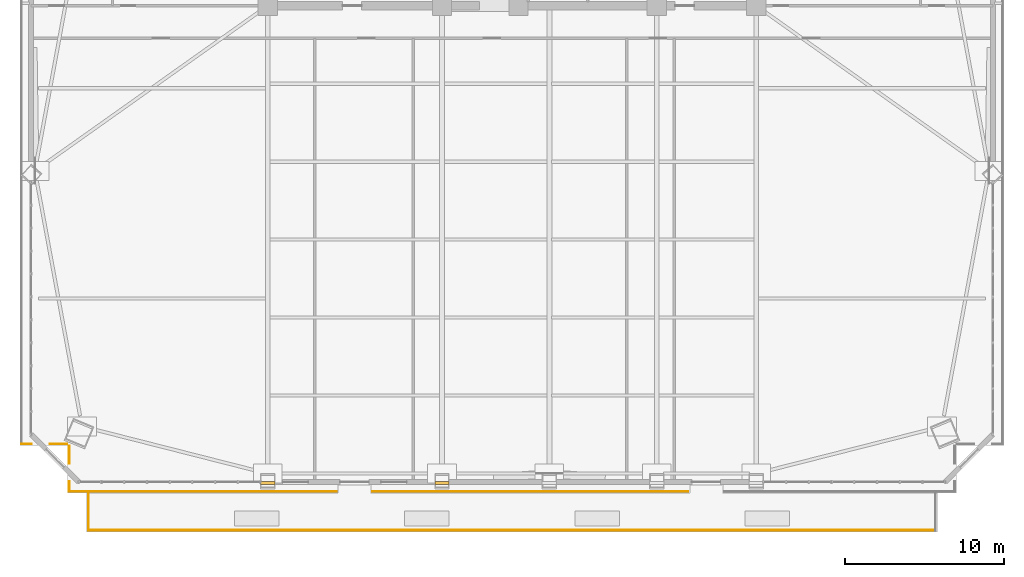
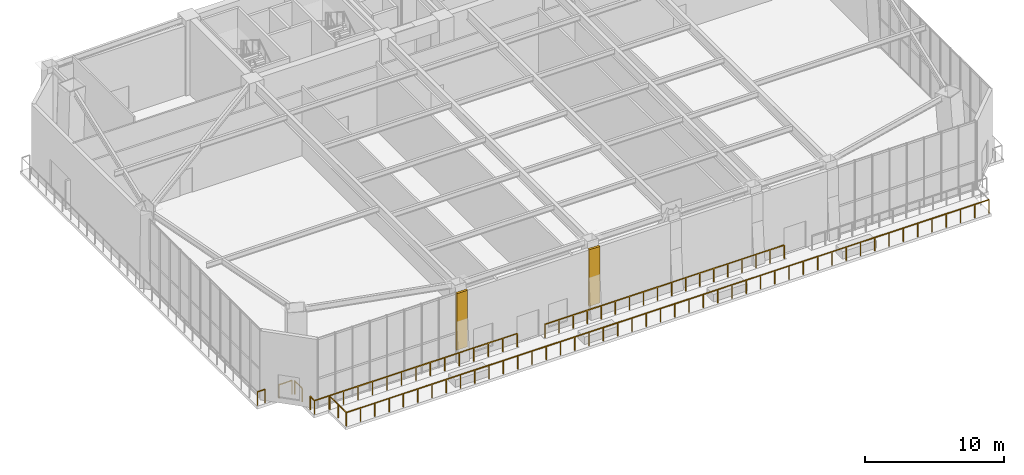
# One storey, part 18 of 22: 8 railings, 2 coverings.
"""IFC4 building model written with IfcOpenShell, lengths in metres."""

from ifc_helpers import new_model, si_unit, direction, frame, origin, origin_2d, place, context, subcontext, project, spatial, polyline, rectangle, outline, extrude, material, layer, layer_set, type_object, element, save


model = new_model("IFC4")

# Units and contexts
model_context = context("Model", 3, precision=1e-05, world=origin(), true_north=direction((0.0, 1.0)))
body_context = subcontext(model_context, "Body", "Model", "MODEL_VIEW")
ifc_project = project(units=[si_unit("LENGTHUNIT", "METRE"), si_unit("AREAUNIT", "SQUARE_METRE"), si_unit("VOLUMEUNIT", "CUBIC_METRE"), si_unit("PLANEANGLEUNIT", "RADIAN"), si_unit("MASSUNIT", "GRAM", prefix="KILO")], contexts=[model_context])

# Site, building, storey
site_placement = place(None, origin())
site = spatial("IfcSite", under=ifc_project, at=site_placement, CompositionType="ELEMENT")
building_placement = place(site_placement, origin())
building = spatial("IfcBuilding", under=site, at=building_placement, Name="Giltprow Tower", CompositionType="ELEMENT")
storey_placement = place(building_placement, frame((0.0, 0.0, 130.89990234375)))
storey = spatial("IfcBuildingStorey", under=building, at=storey_placement, Name="L32", CompositionType="ELEMENT", Elevation=130.89990234375)

# Coverings
ifc_material = material(Name="Anodized bronze", Category="metal")
ifc_layer = layer(ifc_material, 0.0400390625, Name="Anodized bronze")
ifc_layer_set = layer_set([ifc_layer], Name="Anodized bronze")
covering_type = type_object("IfcCoveringType", Name="COV-SOFFIT-BRONZE", PredefinedType="CLADDING", material=ifc_layer_set)
covering_1_placement = place(storey_placement, frame((0.0, 0.0, 1.10009765625)))
element("IfcCovering", 1, at=covering_1_placement, inside=storey, type_object=covering_type, Name="L32 Setback Pier Closure Cladding S-1", PredefinedType="CLADDING", context=body_context, shape_type="SweptSolid", body=[
    extrude(outline(polyline([(19.39990234375, 7.35791015625), (20.300048828125, 7.35791015625), (20.300048828125, 7.5380859375), (19.39990234375, 7.5380859375), (19.39990234375, 7.35791015625)])), origin(), (0.0, 0.0, 1.0), 4.949951171875),
])
covering_2_placement = place(storey_placement, frame((0.0, 0.0, 1.10009765625)))
element("IfcCovering", 2, at=covering_2_placement, inside=storey, type_object=covering_type, Name="L32 Setback Pier Closure Cladding S-2", PredefinedType="CLADDING", context=body_context, shape_type="SweptSolid", body=[
    extrude(outline(polyline([(30.35009765625, 7.35791015625), (31.25, 7.35791015625), (31.25, 7.5380859375), (30.35009765625, 7.5380859375), (30.35009765625, 7.35791015625)])), origin(), (0.0, 0.0, 1.0), 4.949951171875),
])

# Railings
railing_type_1 = type_object("IfcRailingType", Name="RAIL-BALC-GUARD-1200", PredefinedType="BALUSTRADE", material=ifc_material)
railing_1_placement = place(storey_placement, frame((7.3701171875, 6.91796875, 0.0)))
element("IfcRailing", 3, at=railing_1_placement, inside=storey, type_object=railing_type_1, Name="L32 Corner Apron Edge Balustrade 1", PredefinedType="BALUSTRADE", context=body_context, shape_type="SweptSolid", body=[
    extrude(rectangle(XDim=0.048095703125, YDim=0.048095703125, at=origin_2d()), frame((0.0, 0.0, 1.17578125), z_axis=(0.0, 1.0, 0.0), x_axis=(-1.0, 0.0, 0.0)), (0.0, 0.0, 1.0), 0.6201171875),
    extrude(rectangle(XDim=0.0419921875, YDim=0.0419921875, at=origin_2d()), origin(), (0.0, 0.0, 1.0), 1.15185546875),
    extrude(rectangle(XDim=0.0419921875, YDim=0.0419921875, at=origin_2d()), frame((0.0, 0.6201171875, 0.0)), (0.0, 0.0, 1.0), 1.15185546875),
])
railing_2_placement = place(storey_placement, frame((7.3701171875, 8.697998046875, 0.0)))
element("IfcRailing", 4, at=railing_2_placement, inside=storey, type_object=railing_type_1, Name="L32 Corner Apron Edge Balustrade 2", PredefinedType="BALUSTRADE", context=body_context, shape_type="SweptSolid", body=[
    extrude(rectangle(XDim=0.048095703125, YDim=0.048095703125, at=origin_2d()), frame((0.0, 0.0, 1.17578125), z_axis=(0.0, 1.0, 0.0), x_axis=(-1.0, 0.0, 0.0)), (0.0, 0.0, 1.0), 1.075927734375),
    extrude(rectangle(XDim=0.0419921875, YDim=0.0419921875, at=origin_2d()), origin(), (0.0, 0.0, 1.0), 1.15185546875),
    extrude(rectangle(XDim=0.0419921875, YDim=0.0419921875, at=origin_2d()), frame((0.0, 1.075927734375, 0.0)), (0.0, 0.0, 1.0), 1.15185546875),
])
railing_3_placement = place(storey_placement, frame((7.235107421875, 9.908935546875, 0.0)))
element("IfcRailing", 5, at=railing_3_placement, inside=storey, type_object=railing_type_1, Name="L32 Corner Apron Edge Balustrade 3", PredefinedType="BALUSTRADE", context=body_context, shape_type="SweptSolid", body=[
    extrude(rectangle(XDim=0.048095703125, YDim=0.048095703125, at=origin_2d()), frame((0.0, 0.0, 1.17578125), z_axis=(-1.0, 0.0, 0.0), x_axis=(0.0, -1.0, 0.0)), (0.0, 0.0, 1.0), 1.076171875),
    extrude(rectangle(XDim=0.0419921875, YDim=0.0419921875, at=origin_2d()), origin(), (0.0, 0.0, 1.0), 1.15185546875),
    extrude(rectangle(XDim=0.0419921875, YDim=0.0419921875, at=origin_2d()), frame((-1.076171875, 0.0, 0.0)), (0.0, 0.0, 1.0), 1.15185546875),
])
railing_4_placement = place(storey_placement, frame((4.9990234375, 9.908935546875, 0.0)))
element("IfcRailing", 6, at=railing_4_placement, inside=storey, type_object=railing_type_1, Name="L32 Corner Apron Edge Balustrade 4", PredefinedType="BALUSTRADE", context=body_context, shape_type="SweptSolid", body=[
    extrude(rectangle(XDim=0.048095703125, YDim=0.048095703125, at=origin_2d()), frame((0.0, 0.0, 1.17578125), z_axis=(-1.0, 0.0, 0.0), x_axis=(0.0, -1.0, 0.0)), (0.0, 0.0, 1.0), 0.6201171875),
    extrude(rectangle(XDim=0.0419921875, YDim=0.0419921875, at=origin_2d()), origin(), (0.0, 0.0, 1.0), 1.15185546875),
    extrude(rectangle(XDim=0.0419921875, YDim=0.0419921875, at=origin_2d()), frame((-0.6201171875, 0.0, 0.0)), (0.0, 0.0, 1.0), 1.15185546875),
])
railing_5_placement = place(storey_placement, frame((46.25, 6.91796875, 0.0)))
element("IfcRailing", 7, at=railing_5_placement, inside=storey, type_object=railing_type_1, Name="L32 Corner Apron Edge Balustrade 22", PredefinedType="BALUSTRADE", context=body_context, shape_type="SweptSolid", body=[
    extrude(rectangle(XDim=0.048095703125, YDim=0.048095703125, at=origin_2d()), frame((0.0, 0.0, 1.17578125), z_axis=(-1.0, 0.0, 0.0), x_axis=(0.0, -1.0, 0.0)), (0.0, 0.0, 1.0), 19.800048828125),
    extrude(rectangle(XDim=0.0419921875, YDim=0.0419921875, at=origin_2d()), origin(), (0.0, 0.0, 1.0), 1.15185546875),
    extrude(rectangle(XDim=0.0419921875, YDim=0.0419921875, at=origin_2d()), frame((-1.164794921875, 0.0, 0.0)), (0.0, 0.0, 1.0), 1.15185546875),
    extrude(rectangle(XDim=0.0419921875, YDim=0.0419921875, at=origin_2d()), frame((-2.329345703125, 0.0, 0.0)), (0.0, 0.0, 1.0), 1.15185546875),
    extrude(rectangle(XDim=0.0419921875, YDim=0.0419921875, at=origin_2d()), frame((-3.494140625, 0.0, 0.0)), (0.0, 0.0, 1.0), 1.15185546875),
    extrude(rectangle(XDim=0.0419921875, YDim=0.0419921875, at=origin_2d()), frame((-4.658935546875, 0.0, 0.0)), (0.0, 0.0, 1.0), 1.15185546875),
    extrude(rectangle(XDim=0.0419921875, YDim=0.0419921875, at=origin_2d()), frame((-5.823486328125, 0.0, 0.0)), (0.0, 0.0, 1.0), 1.15185546875),
    extrude(rectangle(XDim=0.0419921875, YDim=0.0419921875, at=origin_2d()), frame((-6.98828125, 0.0, 0.0)), (0.0, 0.0, 1.0), 1.15185546875),
    extrude(rectangle(XDim=0.0419921875, YDim=0.0419921875, at=origin_2d()), frame((-8.153076171875, 0.0, 0.0)), (0.0, 0.0, 1.0), 1.15185546875),
    extrude(rectangle(XDim=0.0419921875, YDim=0.0419921875, at=origin_2d()), frame((-9.317626953125, 0.0, 0.0)), (0.0, 0.0, 1.0), 1.15185546875),
    extrude(rectangle(XDim=0.0419921875, YDim=0.0419921875, at=origin_2d()), frame((-10.482421875, 0.0, 0.0)), (0.0, 0.0, 1.0), 1.15185546875),
    extrude(rectangle(XDim=0.0419921875, YDim=0.0419921875, at=origin_2d()), frame((-11.64697265625, 0.0, 0.0)), (0.0, 0.0, 1.0), 1.15185546875),
    extrude(rectangle(XDim=0.0419921875, YDim=0.0419921875, at=origin_2d()), frame((-12.811767578125, 0.0, 0.0)), (0.0, 0.0, 1.0), 1.15185546875),
    extrude(rectangle(XDim=0.0419921875, YDim=0.0419921875, at=origin_2d()), frame((-13.9765625, 0.0, 0.0)), (0.0, 0.0, 1.0), 1.15185546875),
    extrude(rectangle(XDim=0.0419921875, YDim=0.0419921875, at=origin_2d()), frame((-15.14111328125, 0.0, 0.0)), (0.0, 0.0, 1.0), 1.15185546875),
    extrude(rectangle(XDim=0.0419921875, YDim=0.0419921875, at=origin_2d()), frame((-16.305908203125, 0.0, 0.0)), (0.0, 0.0, 1.0), 1.15185546875),
    extrude(rectangle(XDim=0.0419921875, YDim=0.0419921875, at=origin_2d()), frame((-17.470703125, 0.0, 0.0)), (0.0, 0.0, 1.0), 1.15185546875),
    extrude(rectangle(XDim=0.0419921875, YDim=0.0419921875, at=origin_2d()), frame((-18.63525390625, 0.0, 0.0)), (0.0, 0.0, 1.0), 1.15185546875),
    extrude(rectangle(XDim=0.0419921875, YDim=0.0419921875, at=origin_2d()), frame((-19.800048828125, 0.0, 0.0)), (0.0, 0.0, 1.0), 1.15185546875),
])
railing_6_placement = place(storey_placement, frame((24.14990234375, 6.91796875, 0.0)))
element("IfcRailing", 8, at=railing_6_placement, inside=storey, type_object=railing_type_1, Name="L32 Corner Apron Edge Balustrade 23", PredefinedType="BALUSTRADE", context=body_context, shape_type="SweptSolid", body=[
    extrude(rectangle(XDim=0.048095703125, YDim=0.048095703125, at=origin_2d()), frame((0.0, 0.0, 1.17578125), z_axis=(-1.0, 0.0, 0.0), x_axis=(0.0, -1.0, 0.0)), (0.0, 0.0, 1.0), 16.77978515625),
    extrude(rectangle(XDim=0.0419921875, YDim=0.0419921875, at=origin_2d()), origin(), (0.0, 0.0, 1.0), 1.15185546875),
    extrude(rectangle(XDim=0.0419921875, YDim=0.0419921875, at=origin_2d()), frame((-1.198486328125, 0.0, 0.0)), (0.0, 0.0, 1.0), 1.15185546875),
    extrude(rectangle(XDim=0.0419921875, YDim=0.0419921875, at=origin_2d()), frame((-2.397216796875, 0.0, 0.0)), (0.0, 0.0, 1.0), 1.15185546875),
    extrude(rectangle(XDim=0.0419921875, YDim=0.0419921875, at=origin_2d()), frame((-3.595703125, 0.0, 0.0)), (0.0, 0.0, 1.0), 1.15185546875),
    extrude(rectangle(XDim=0.0419921875, YDim=0.0419921875, at=origin_2d()), frame((-4.794189453125, 0.0, 0.0)), (0.0, 0.0, 1.0), 1.15185546875),
    extrude(rectangle(XDim=0.0419921875, YDim=0.0419921875, at=origin_2d()), frame((-5.99267578125, 0.0, 0.0)), (0.0, 0.0, 1.0), 1.15185546875),
    extrude(rectangle(XDim=0.0419921875, YDim=0.0419921875, at=origin_2d()), frame((-7.19140625, 0.0, 0.0)), (0.0, 0.0, 1.0), 1.15185546875),
    extrude(rectangle(XDim=0.0419921875, YDim=0.0419921875, at=origin_2d()), frame((-8.389892578125, 0.0, 0.0)), (0.0, 0.0, 1.0), 1.15185546875),
    extrude(rectangle(XDim=0.0419921875, YDim=0.0419921875, at=origin_2d()), frame((-9.58837890625, 0.0, 0.0)), (0.0, 0.0, 1.0), 1.15185546875),
    extrude(rectangle(XDim=0.0419921875, YDim=0.0419921875, at=origin_2d()), frame((-10.787109375, 0.0, 0.0)), (0.0, 0.0, 1.0), 1.15185546875),
    extrude(rectangle(XDim=0.0419921875, YDim=0.0419921875, at=origin_2d()), frame((-11.985595703125, 0.0, 0.0)), (0.0, 0.0, 1.0), 1.15185546875),
    extrude(rectangle(XDim=0.0419921875, YDim=0.0419921875, at=origin_2d()), frame((-13.18408203125, 0.0, 0.0)), (0.0, 0.0, 1.0), 1.15185546875),
    extrude(rectangle(XDim=0.0419921875, YDim=0.0419921875, at=origin_2d()), frame((-14.382568359375, 0.0, 0.0)), (0.0, 0.0, 1.0), 1.15185546875),
    extrude(rectangle(XDim=0.0419921875, YDim=0.0419921875, at=origin_2d()), frame((-15.581298828125, 0.0, 0.0)), (0.0, 0.0, 1.0), 1.15185546875),
    extrude(rectangle(XDim=0.0419921875, YDim=0.0419921875, at=origin_2d()), frame((-16.77978515625, 0.0, 0.0)), (0.0, 0.0, 1.0), 1.15185546875),
])
railing_type_2 = type_object("IfcRailingType", Name="RAIL-TERR-BAL-1200", PredefinedType="BALUSTRADE", material=ifc_material)
railing_7_placement = place(storey_placement, frame((8.590087890625, 6.818115234375, 0.0)))
element("IfcRailing", 9, at=railing_7_placement, inside=storey, type_object=railing_type_2, Name="L32 Sky Garden Guardrail Seg 1", PredefinedType="BALUSTRADE", context=body_context, shape_type="SweptSolid", body=[
    extrude(rectangle(XDim=0.048095703125, YDim=0.048095703125, at=origin_2d()), frame((0.0, 0.0, 1.17578125), z_axis=(0.0, -1.0, 0.0), x_axis=(1.0, 0.0, 0.0)), (0.0, 0.0, 1.0), 2.330078125),
    extrude(rectangle(XDim=0.0419921875, YDim=0.0419921875, at=origin_2d()), origin(), (0.0, 0.0, 1.0), 1.15185546875),
    extrude(rectangle(XDim=0.0419921875, YDim=0.0419921875, at=origin_2d()), frame((0.0, -1.1650390625, 0.0)), (0.0, 0.0, 1.0), 1.15185546875),
    extrude(rectangle(XDim=0.0419921875, YDim=0.0419921875, at=origin_2d()), frame((0.0, -2.330078125, 0.0)), (0.0, 0.0, 1.0), 1.15185546875),
])
railing_8_placement = place(storey_placement, frame((8.590087890625, 4.488037109375, 0.0)))
element("IfcRailing", 10, at=railing_8_placement, inside=storey, type_object=railing_type_2, Name="L32 Sky Garden Guardrail Seg 2", PredefinedType="BALUSTRADE", context=body_context, shape_type="SweptSolid", body=[
    extrude(rectangle(XDim=0.048095703125, YDim=0.048095703125, at=origin_2d()), frame((0.0, 0.0, 1.17578125), z_axis=(1.0, 0.0, 0.0), x_axis=(0.0, 1.0, 0.0)), (0.0, 0.0, 1.0), 53.219970703125),
    extrude(rectangle(XDim=0.0419921875, YDim=0.0419921875, at=origin_2d()), origin(), (0.0, 0.0, 1.0), 1.15185546875),
    extrude(rectangle(XDim=0.0419921875, YDim=0.0419921875, at=origin_2d()), frame((1.1826171875, 0.0, 0.0)), (0.0, 0.0, 1.0), 1.15185546875),
    extrude(rectangle(XDim=0.0419921875, YDim=0.0419921875, at=origin_2d()), frame((2.365234375, 0.0, 0.0)), (0.0, 0.0, 1.0), 1.15185546875),
    extrude(rectangle(XDim=0.0419921875, YDim=0.0419921875, at=origin_2d()), frame((3.548095703125, 0.0, 0.0)), (0.0, 0.0, 1.0), 1.15185546875),
    extrude(rectangle(XDim=0.0419921875, YDim=0.0419921875, at=origin_2d()), frame((4.730712890625, 0.0, 0.0)), (0.0, 0.0, 1.0), 1.15185546875),
    extrude(rectangle(XDim=0.0419921875, YDim=0.0419921875, at=origin_2d()), frame((5.913330078125, 0.0, 0.0)), (0.0, 0.0, 1.0), 1.15185546875),
    extrude(rectangle(XDim=0.0419921875, YDim=0.0419921875, at=origin_2d()), frame((7.095947265625, 0.0, 0.0)), (0.0, 0.0, 1.0), 1.15185546875),
    extrude(rectangle(XDim=0.0419921875, YDim=0.0419921875, at=origin_2d()), frame((8.278564453125, 0.0, 0.0)), (0.0, 0.0, 1.0), 1.15185546875),
    extrude(rectangle(XDim=0.0419921875, YDim=0.0419921875, at=origin_2d()), frame((9.46142578125, 0.0, 0.0)), (0.0, 0.0, 1.0), 1.15185546875),
    extrude(rectangle(XDim=0.0419921875, YDim=0.0419921875, at=origin_2d()), frame((10.64404296875, 0.0, 0.0)), (0.0, 0.0, 1.0), 1.15185546875),
    extrude(rectangle(XDim=0.0419921875, YDim=0.0419921875, at=origin_2d()), frame((11.82666015625, 0.0, 0.0)), (0.0, 0.0, 1.0), 1.15185546875),
    extrude(rectangle(XDim=0.0419921875, YDim=0.0419921875, at=origin_2d()), frame((13.00927734375, 0.0, 0.0)), (0.0, 0.0, 1.0), 1.15185546875),
    extrude(rectangle(XDim=0.0419921875, YDim=0.0419921875, at=origin_2d()), frame((14.19189453125, 0.0, 0.0)), (0.0, 0.0, 1.0), 1.15185546875),
    extrude(rectangle(XDim=0.0419921875, YDim=0.0419921875, at=origin_2d()), frame((15.374755859375, 0.0, 0.0)), (0.0, 0.0, 1.0), 1.15185546875),
    extrude(rectangle(XDim=0.0419921875, YDim=0.0419921875, at=origin_2d()), frame((16.557373046875, 0.0, 0.0)), (0.0, 0.0, 1.0), 1.15185546875),
    extrude(rectangle(XDim=0.0419921875, YDim=0.0419921875, at=origin_2d()), frame((17.739990234375, 0.0, 0.0)), (0.0, 0.0, 1.0), 1.15185546875),
    extrude(rectangle(XDim=0.0419921875, YDim=0.0419921875, at=origin_2d()), frame((18.922607421875, 0.0, 0.0)), (0.0, 0.0, 1.0), 1.15185546875),
    extrude(rectangle(XDim=0.0419921875, YDim=0.0419921875, at=origin_2d()), frame((20.105224609375, 0.0, 0.0)), (0.0, 0.0, 1.0), 1.15185546875),
    extrude(rectangle(XDim=0.0419921875, YDim=0.0419921875, at=origin_2d()), frame((21.2880859375, 0.0, 0.0)), (0.0, 0.0, 1.0), 1.15185546875),
    extrude(rectangle(XDim=0.0419921875, YDim=0.0419921875, at=origin_2d()), frame((22.470703125, 0.0, 0.0)), (0.0, 0.0, 1.0), 1.15185546875),
    extrude(rectangle(XDim=0.0419921875, YDim=0.0419921875, at=origin_2d()), frame((23.6533203125, 0.0, 0.0)), (0.0, 0.0, 1.0), 1.15185546875),
    extrude(rectangle(XDim=0.0419921875, YDim=0.0419921875, at=origin_2d()), frame((24.8359375, 0.0, 0.0)), (0.0, 0.0, 1.0), 1.15185546875),
    extrude(rectangle(XDim=0.0419921875, YDim=0.0419921875, at=origin_2d()), frame((26.0185546875, 0.0, 0.0)), (0.0, 0.0, 1.0), 1.15185546875),
    extrude(rectangle(XDim=0.0419921875, YDim=0.0419921875, at=origin_2d()), frame((27.201416015625, 0.0, 0.0)), (0.0, 0.0, 1.0), 1.15185546875),
    extrude(rectangle(XDim=0.0419921875, YDim=0.0419921875, at=origin_2d()), frame((28.384033203125, 0.0, 0.0)), (0.0, 0.0, 1.0), 1.15185546875),
    extrude(rectangle(XDim=0.0419921875, YDim=0.0419921875, at=origin_2d()), frame((29.566650390625, 0.0, 0.0)), (0.0, 0.0, 1.0), 1.15185546875),
    extrude(rectangle(XDim=0.0419921875, YDim=0.0419921875, at=origin_2d()), frame((30.749267578125, 0.0, 0.0)), (0.0, 0.0, 1.0), 1.15185546875),
    extrude(rectangle(XDim=0.0419921875, YDim=0.0419921875, at=origin_2d()), frame((31.931884765625, 0.0, 0.0)), (0.0, 0.0, 1.0), 1.15185546875),
    extrude(rectangle(XDim=0.0419921875, YDim=0.0419921875, at=origin_2d()), frame((33.11474609375, 0.0, 0.0)), (0.0, 0.0, 1.0), 1.15185546875),
    extrude(rectangle(XDim=0.0419921875, YDim=0.0419921875, at=origin_2d()), frame((34.29736328125, 0.0, 0.0)), (0.0, 0.0, 1.0), 1.15185546875),
    extrude(rectangle(XDim=0.0419921875, YDim=0.0419921875, at=origin_2d()), frame((35.47998046875, 0.0, 0.0)), (0.0, 0.0, 1.0), 1.15185546875),
    extrude(rectangle(XDim=0.0419921875, YDim=0.0419921875, at=origin_2d()), frame((36.66259765625, 0.0, 0.0)), (0.0, 0.0, 1.0), 1.15185546875),
    extrude(rectangle(XDim=0.0419921875, YDim=0.0419921875, at=origin_2d()), frame((37.84521484375, 0.0, 0.0)), (0.0, 0.0, 1.0), 1.15185546875),
    extrude(rectangle(XDim=0.0419921875, YDim=0.0419921875, at=origin_2d()), frame((39.028076171875, 0.0, 0.0)), (0.0, 0.0, 1.0), 1.15185546875),
    extrude(rectangle(XDim=0.0419921875, YDim=0.0419921875, at=origin_2d()), frame((40.210693359375, 0.0, 0.0)), (0.0, 0.0, 1.0), 1.15185546875),
    extrude(rectangle(XDim=0.0419921875, YDim=0.0419921875, at=origin_2d()), frame((41.393310546875, 0.0, 0.0)), (0.0, 0.0, 1.0), 1.15185546875),
    extrude(rectangle(XDim=0.0419921875, YDim=0.0419921875, at=origin_2d()), frame((42.575927734375, 0.0, 0.0)), (0.0, 0.0, 1.0), 1.15185546875),
    extrude(rectangle(XDim=0.0419921875, YDim=0.0419921875, at=origin_2d()), frame((43.758544921875, 0.0, 0.0)), (0.0, 0.0, 1.0), 1.15185546875),
    extrude(rectangle(XDim=0.0419921875, YDim=0.0419921875, at=origin_2d()), frame((44.94140625, 0.0, 0.0)), (0.0, 0.0, 1.0), 1.15185546875),
    extrude(rectangle(XDim=0.0419921875, YDim=0.0419921875, at=origin_2d()), frame((46.1240234375, 0.0, 0.0)), (0.0, 0.0, 1.0), 1.15185546875),
    extrude(rectangle(XDim=0.0419921875, YDim=0.0419921875, at=origin_2d()), frame((47.306640625, 0.0, 0.0)), (0.0, 0.0, 1.0), 1.15185546875),
    extrude(rectangle(XDim=0.0419921875, YDim=0.0419921875, at=origin_2d()), frame((48.4892578125, 0.0, 0.0)), (0.0, 0.0, 1.0), 1.15185546875),
    extrude(rectangle(XDim=0.0419921875, YDim=0.0419921875, at=origin_2d()), frame((49.671875, 0.0, 0.0)), (0.0, 0.0, 1.0), 1.15185546875),
    extrude(rectangle(XDim=0.0419921875, YDim=0.0419921875, at=origin_2d()), frame((50.854736328125, 0.0, 0.0)), (0.0, 0.0, 1.0), 1.15185546875),
    extrude(rectangle(XDim=0.0419921875, YDim=0.0419921875, at=origin_2d()), frame((52.037353515625, 0.0, 0.0)), (0.0, 0.0, 1.0), 1.15185546875),
    extrude(rectangle(XDim=0.0419921875, YDim=0.0419921875, at=origin_2d()), frame((53.219970703125, 0.0, 0.0)), (0.0, 0.0, 1.0), 1.15185546875),
])

save(model, "model.ifc")
